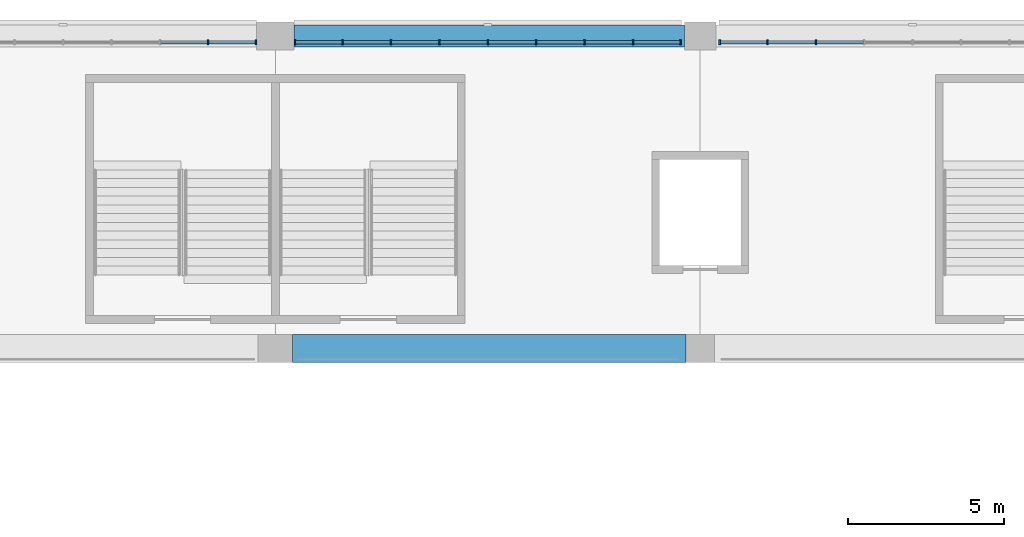
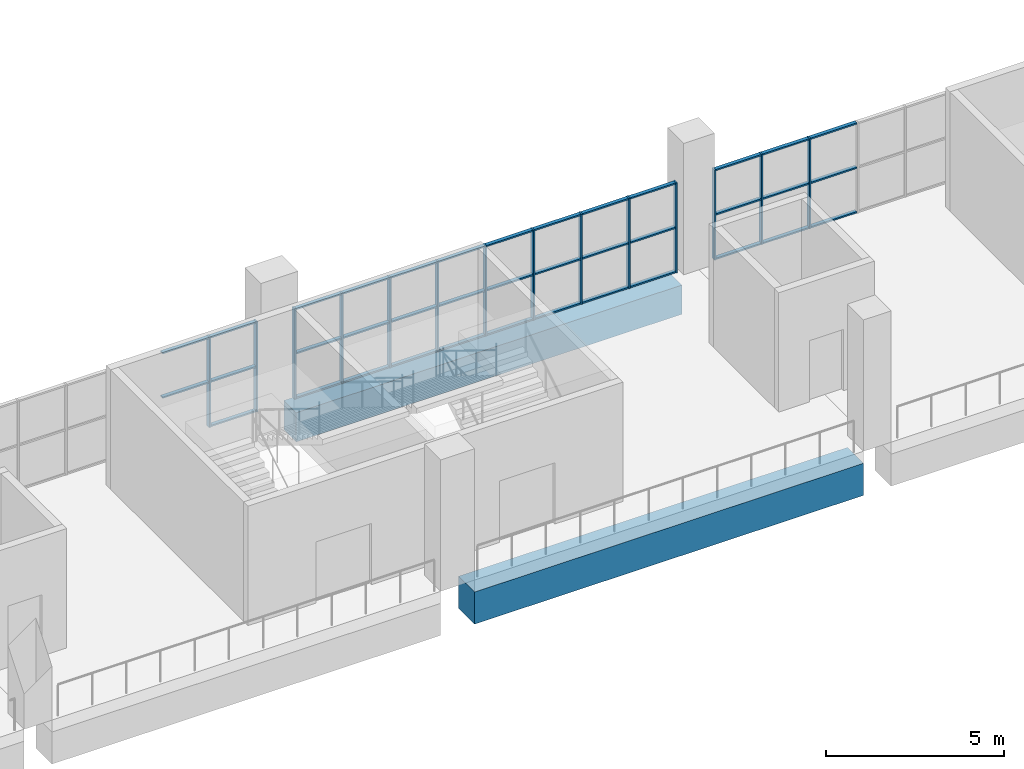
# One storey, part 33 of 177: 52 members, 2 beams, 3 elements without a shape of their own.
"""IFC4 building model written with IfcOpenShell, lengths in metres."""

import ifcopenshell
import ifcopenshell.guid

model = None  # the IFC model being written
_history = None  # IfcOwnerHistory: only IFC2X3 demands one
_inside = {}  # id of a spatial element -> (the spatial element, [elements in it])
_under = {}  # id of a project, library or spatial element -> (it, [spatial elements below it])
_declared = {}  # id of a project -> (the project, [libraries it declares])
_typed = {}  # id of a type object -> (the type object, [elements of that type])
_made_of = {}  # id of a material, layer set ... -> (it, [elements and type objects made of it])


def new_model(schema):
    """Start an empty IFC model of exactly this schema.

    Asked for "IFC4X3", IfcOpenShell would pick the latest addendum, in which some entities
    have other attributes; the version numbers below select the first issue.
    IFC2X3 requires an IfcOwnerHistory on every rooted entity: one is made here for all.
    """
    global model, _history
    if schema == "IFC4X3":
        model = ifcopenshell.file(schema_version=(4, 3, 0, 0))
    else:
        model = ifcopenshell.file(schema=schema)
    _inside.clear()
    _under.clear()
    _declared.clear()
    _typed.clear()
    _made_of.clear()
    _history = None
    if model.schema == "IFC2X3":
        org = make("IfcOrganization", Name="unknown")
        user = make(
            "IfcPersonAndOrganization",
            ThePerson=make("IfcPerson", FamilyName="unknown"),
            TheOrganization=org,
        )
        app = make(
            "IfcApplication",
            ApplicationDeveloper=org,
            Version="unknown",
            ApplicationFullName="unknown",
            ApplicationIdentifier="unknown",
        )
        _history = make(
            "IfcOwnerHistory",
            OwningUser=user,
            OwningApplication=app,
            ChangeAction="ADDED",
            CreationDate=0,
        )
    return model


def make(cls, **values):
    """One entity of the class cls with the attributes given. An attribute that is None is left unset."""
    return model.create_entity(
        cls, **{name: value for name, value in values.items() if value is not None}
    )


def rooted(cls, **values):
    """An entity with a GlobalId (a new one), such as an element, a storey or a relation."""
    return make(cls, GlobalId=ifcopenshell.guid.new(), OwnerHistory=_history, **values)


def si_unit(unit_type, name, prefix=None):
    """IfcSIUnit, for example si_unit("LENGTHUNIT", "METRE", prefix="MILLI")."""
    return make("IfcSIUnit", UnitType=unit_type, Prefix=prefix, Name=name)


def assignment(units):
    """IfcUnitAssignment: the units of a project."""
    return None if units is None else make("IfcUnitAssignment", Units=units)


def point(xyz):
    """IfcCartesianPoint."""
    return None if xyz is None else make("IfcCartesianPoint", Coordinates=xyz)


def direction(xyz):
    """IfcDirection."""
    return None if xyz is None else make("IfcDirection", DirectionRatios=xyz)


def frame(location, z_axis=None, x_axis=None):
    """IfcAxis2Placement3D, a coordinate frame: its origin and axes. An axis left out is left unset."""
    return make(
        "IfcAxis2Placement3D",
        Location=point(location),
        Axis=direction(z_axis),
        RefDirection=direction(x_axis),
    )


def frame_2d(location, x_axis=None):
    """IfcAxis2Placement2D, a coordinate frame in the plane: its origin and x axis."""
    return make(
        "IfcAxis2Placement2D", Location=point(location), RefDirection=direction(x_axis)
    )


def origin():
    """The frame at (0, 0, 0) with its axes left unset."""
    return frame((0.0, 0.0, 0.0))


def origin_2d():
    """The frame at (0, 0) in the plane with its x axis left unset."""
    return frame_2d((0.0, 0.0))


def place(relative_to, where):
    """IfcLocalPlacement: puts the frame where relative to a parent placement (None: the world)."""
    return make(
        "IfcLocalPlacement", PlacementRelTo=relative_to, RelativePlacement=where
    )


def context(
    kind, dimensions, precision=None, world=None, true_north=None, identifier=None
):
    """IfcGeometricRepresentationContext, for example the 3D "Model" context."""
    return make(
        "IfcGeometricRepresentationContext",
        ContextIdentifier=identifier,
        ContextType=kind,
        CoordinateSpaceDimension=dimensions,
        Precision=precision,
        WorldCoordinateSystem=world,
        TrueNorth=true_north,
    )


def subcontext(parent, identifier, kind, view, scale=None):
    """IfcGeometricRepresentationSubContext, for example "Body" below "Model"."""
    return make(
        "IfcGeometricRepresentationSubContext",
        ContextIdentifier=identifier,
        ContextType=kind,
        ParentContext=parent,
        TargetScale=scale,
        TargetView=view,
    )


def project(units=None, contexts=None):
    """IfcProject with its units and contexts."""
    return rooted(
        "IfcProject",
        Name="project",
        RepresentationContexts=contexts,
        UnitsInContext=assignment(units),
    )


def spatial(cls, under=None, at=None, **own):
    """A site, building, storey or space (cls), placed at a placement, below another one or the project."""
    s = rooted(cls, ObjectPlacement=at, **own)
    if under is not None:
        _under.setdefault(under.id(), (under, []))[1].append(s)
    return s


def profile(cls, at=None, kind="AREA", **sizes):
    """A parametric profile (cls). Its sizes go by their IFC names, for example OverallWidth=200.0."""
    return make(cls, ProfileType=kind, Position=at, **sizes)


def rectangle(**sizes):
    """IfcRectangleProfileDef."""
    return profile("IfcRectangleProfileDef", **sizes)


def extrude(swept, where, along, depth):
    """IfcExtrudedAreaSolid: the profile swept, set in the frame where, extruded along a direction by depth."""
    return make(
        "IfcExtrudedAreaSolid",
        SweptArea=swept,
        Position=where,
        ExtrudedDirection=direction(along),
        Depth=depth,
    )


def shape(context_of_items, identifier, shape_type, items):
    """IfcShapeRepresentation: the items that make up one representation, for example the "Body"."""
    return make(
        "IfcShapeRepresentation",
        ContextOfItems=context_of_items,
        RepresentationIdentifier=identifier,
        RepresentationType=shape_type,
        Items=items,
    )


def material(Name=None, Category=None):
    """IfcMaterial."""
    return make("IfcMaterial", Name=Name, Category=Category)


def material_profile(
    of_material, cross_section, Name=None, Category=None, Priority=None
):
    """IfcMaterialProfile: a cross section and its material."""
    return make(
        "IfcMaterialProfile",
        Name=Name,
        Material=of_material,
        Profile=cross_section,
        Priority=Priority,
        Category=Category,
    )


def profile_set(profiles, Name=None, composite=None):
    """IfcMaterialProfileSet."""
    return make(
        "IfcMaterialProfileSet",
        Name=Name,
        MaterialProfiles=profiles,
        CompositeProfile=composite,
    )


def made_of(thing, what):
    """Note that an element or type object is made of a material, layer set ...; save() writes the relation."""
    if what is not None:
        _made_of.setdefault(what.id(), (what, []))[1].append(thing)
    return thing


def type_object(cls, material=None, **own):
    """A type object (cls), such as IfcWallType, which elements share."""
    return made_of(rooted(cls, **own), material)


def element(
    cls,
    number,
    at=None,
    inside=None,
    cuts=None,
    type_object=None,
    material=None,
    context=None,
    identifier="Body",
    shape_type=None,
    held_by="IfcProductDefinitionShape",
    body=None,
    shapes=None,
    **own,
):
    """One element of the class cls, such as IfcWall. Its Tag is "e" and its number.

    at: its placement. inside: the storey or other place that contains it. cuts: it is an
    opening in that element (IfcRelVoidsElement). A single representation is given by context,
    identifier, shape_type and body (its items); several are given by shapes. held_by: the class
    of the entity that holds the representations. save() writes the other relations.
    """
    e = rooted(cls, Tag="e%d" % number, ObjectPlacement=at, **own)
    if body is not None:
        shapes = [shape(context, identifier, shape_type, body)]
    if shapes is not None:
        e.Representation = make(held_by, Representations=shapes)
    if inside is not None:
        _inside.setdefault(inside.id(), (inside, []))[1].append(e)
    if cuts is not None:
        rooted(
            "IfcRelVoidsElement", RelatingBuildingElement=cuts, RelatedOpeningElement=e
        )
    if type_object is not None:
        _typed.setdefault(type_object.id(), (type_object, []))[1].append(e)
    return made_of(e, material)


def aggregate(whole, parts):
    """IfcRelAggregates: a whole, such as a stair, and the parts it consists of."""
    return rooted("IfcRelAggregates", RelatingObject=whole, RelatedObjects=parts)


def save(model, path):
    """Write the relations noted so far, then the file.

    IfcRelAggregates (storeys below a building ...), IfcRelContainedInSpatialStructure (elements
    in a storey), IfcRelDefinesByType, IfcRelAssociatesMaterial and IfcRelDeclares: one each for
    every whole, place, type object, material and project.
    """
    for whole, parts in _under.values():
        aggregate(whole, parts)
    for where, things in _inside.values():
        rooted(
            "IfcRelContainedInSpatialStructure",
            RelatedElements=things,
            RelatingStructure=where,
        )
    for kind, things in _typed.values():
        rooted("IfcRelDefinesByType", RelatedObjects=things, RelatingType=kind)
    for what, things in _made_of.values():
        rooted("IfcRelAssociatesMaterial", RelatedObjects=things, RelatingMaterial=what)
    for by, libraries in _declared.values():
        rooted("IfcRelDeclares", RelatingContext=by, RelatedDefinitions=libraries)
    model.write(path)


model = new_model("IFC4")

# Units and contexts
model_context = context("Model", 3, precision=1e-05, world=origin(), true_north=direction((0.0, 1.0)))
body_context = subcontext(model_context, "Body", "Model", "MODEL_VIEW")
ifc_project = project(units=[si_unit("LENGTHUNIT", "METRE"), si_unit("AREAUNIT", "SQUARE_METRE"), si_unit("VOLUMEUNIT", "CUBIC_METRE"), si_unit("PLANEANGLEUNIT", "RADIAN"), si_unit("MASSUNIT", "GRAM", prefix="KILO")], contexts=[model_context])

# Site, building, storey
site_placement = place(None, origin())
site = spatial("IfcSite", under=ifc_project, at=site_placement, CompositionType="ELEMENT")
building_placement = place(site_placement, origin())
building = spatial("IfcBuilding", under=site, at=building_placement, Name="Ogive Plaza Stadium", CompositionType="ELEMENT")
storey_placement = place(building_placement, frame((0.0, 0.0, 18.0)))
storey = spatial("IfcBuildingStorey", under=building, at=storey_placement, Name="L04", CompositionType="ELEMENT", Elevation=18.0)

# Curtain wall, members
ifc_material_1 = material(Name="Bronze-anodised aluminium with laminated glass", Category="aluminium")
curtain_wall_type = type_object("IfcCurtainWallType", Name="Lancet curtain wall", PredefinedType="NOTDEFINED", material=ifc_material_1)
curtain_wall_1_placement = place(storey_placement, origin())
curtain_wall_1 = element("IfcCurtainWall", 1, at=curtain_wall_1_placement, inside=storey, type_object=curtain_wall_type, Name="CURTAIN WALL B33 L04", PredefinedType="NOTDEFINED")
ifc_material_2 = material(Name="Bronze-anodised aluminium", Category="aluminium")
ifc_material_profile_1 = material_profile(ifc_material_2, rectangle(XDim=0.14990234375, YDim=0.050048828125, at=origin_2d()), Name="AL 150x50")
ifc_profile_set_1 = profile_set([ifc_material_profile_1], Name="Bronze-anodised aluminium")
member_type_1 = type_object("IfcMemberType", Name="Curtain wall mullion 50x150", PredefinedType="MULLION", material=ifc_profile_set_1)
member_1_placement = place(storey_placement, frame((-8.949951171875, 102.300048828125, 0.0), z_axis=(0.0, 0.0, 1.0), x_axis=(0.0, 1.0, 0.0)))
member_1 = element("IfcMember", 2, at=member_1_placement, type_object=member_type_1, Name="CW-B33-L04 mullion 8", PredefinedType="MULLION", context=body_context, shape_type="SweptSolid", body=[
    extrude(rectangle(XDim=0.14990234375, YDim=0.050048828125, at=origin_2d()), origin(), (0.0, 0.0, 1.0), 3.090087890625),
])
member_2_placement = place(storey_placement, frame((-7.425048828125, 102.300048828125, 0.0), z_axis=(0.0, 0.0, 1.0), x_axis=(0.0, 1.0, 0.0)))
member_2 = element("IfcMember", 3, at=member_2_placement, type_object=member_type_1, Name="CW-B33-L04 mullion 9", PredefinedType="MULLION", context=body_context, shape_type="SweptSolid", body=[
    extrude(rectangle(XDim=0.14990234375, YDim=0.050048828125, at=origin_2d()), origin(), (0.0, 0.0, 1.0), 3.090087890625),
])

curtain_wall_2_placement = place(storey_placement, origin())
curtain_wall_2 = element("IfcCurtainWall", 4, at=curtain_wall_2_placement, inside=storey, type_object=curtain_wall_type, Name="CURTAIN WALL B34 L04", PredefinedType="NOTDEFINED")
member_3_placement = place(storey_placement, frame((-6.175048828125, 102.300048828125, 0.0), z_axis=(0.0, 0.0, 1.0), x_axis=(0.0, 1.0, 0.0)))
member_3 = element("IfcMember", 5, at=member_3_placement, type_object=member_type_1, Name="CW-B34-L04 mullion 1", PredefinedType="MULLION", context=body_context, shape_type="SweptSolid", body=[
    extrude(rectangle(XDim=0.14990234375, YDim=0.050048828125, at=origin_2d()), origin(), (0.0, 0.0, 1.0), 3.090087890625),
])
member_4_placement = place(storey_placement, frame((-4.64990234375, 102.300048828125, 0.0), z_axis=(0.0, 0.0, 1.0), x_axis=(0.0, 1.0, 0.0)))
member_4 = element("IfcMember", 6, at=member_4_placement, type_object=member_type_1, Name="CW-B34-L04 mullion 2", PredefinedType="MULLION", context=body_context, shape_type="SweptSolid", body=[
    extrude(rectangle(XDim=0.14990234375, YDim=0.050048828125, at=origin_2d()), origin(), (0.0, 0.0, 1.0), 3.090087890625),
])
member_5_placement = place(storey_placement, frame((-3.10009765625, 102.300048828125, 0.0), z_axis=(0.0, 0.0, 1.0), x_axis=(0.0, 1.0, 0.0)))
member_5 = element("IfcMember", 7, at=member_5_placement, type_object=member_type_1, Name="CW-B34-L04 mullion 3", PredefinedType="MULLION", context=body_context, shape_type="SweptSolid", body=[
    extrude(rectangle(XDim=0.14990234375, YDim=0.050048828125, at=origin_2d()), origin(), (0.0, 0.0, 1.0), 3.090087890625),
])
member_6_placement = place(storey_placement, frame((-1.550048828125, 102.300048828125, 0.0), z_axis=(0.0, 0.0, 1.0), x_axis=(0.0, 1.0, 0.0)))
member_6 = element("IfcMember", 8, at=member_6_placement, type_object=member_type_1, Name="CW-B34-L04 mullion 4", PredefinedType="MULLION", context=body_context, shape_type="SweptSolid", body=[
    extrude(rectangle(XDim=0.14990234375, YDim=0.050048828125, at=origin_2d()), origin(), (0.0, 0.0, 1.0), 3.090087890625),
])
member_7_placement = place(storey_placement, frame((0.0, 102.300048828125, 0.0), z_axis=(0.0, 0.0, 1.0), x_axis=(0.0, 1.0, 0.0)))
member_7 = element("IfcMember", 9, at=member_7_placement, type_object=member_type_1, Name="CW-B34-L04 mullion 5", PredefinedType="MULLION", context=body_context, shape_type="SweptSolid", body=[
    extrude(rectangle(XDim=0.14990234375, YDim=0.050048828125, at=origin_2d()), origin(), (0.0, 0.0, 1.0), 3.090087890625),
])
member_8_placement = place(storey_placement, frame((1.550048828125, 102.300048828125, 0.0), z_axis=(0.0, 0.0, 1.0), x_axis=(0.0, 1.0, 0.0)))
member_8 = element("IfcMember", 10, at=member_8_placement, type_object=member_type_1, Name="CW-B34-L04 mullion 6", PredefinedType="MULLION", context=body_context, shape_type="SweptSolid", body=[
    extrude(rectangle(XDim=0.14990234375, YDim=0.050048828125, at=origin_2d()), origin(), (0.0, 0.0, 1.0), 3.090087890625),
])
member_9_placement = place(storey_placement, frame((3.10009765625, 102.300048828125, 0.0), z_axis=(0.0, 0.0, 1.0), x_axis=(0.0, 1.0, 0.0)))
member_9 = element("IfcMember", 11, at=member_9_placement, type_object=member_type_1, Name="CW-B34-L04 mullion 7", PredefinedType="MULLION", context=body_context, shape_type="SweptSolid", body=[
    extrude(rectangle(XDim=0.14990234375, YDim=0.050048828125, at=origin_2d()), origin(), (0.0, 0.0, 1.0), 3.090087890625),
])
member_10_placement = place(storey_placement, frame((4.64990234375, 102.300048828125, 0.0), z_axis=(0.0, 0.0, 1.0), x_axis=(0.0, 1.0, 0.0)))
member_10 = element("IfcMember", 12, at=member_10_placement, type_object=member_type_1, Name="CW-B34-L04 mullion 8", PredefinedType="MULLION", context=body_context, shape_type="SweptSolid", body=[
    extrude(rectangle(XDim=0.14990234375, YDim=0.050048828125, at=origin_2d()), origin(), (0.0, 0.0, 1.0), 3.090087890625),
])
member_11_placement = place(storey_placement, frame((6.175048828125, 102.300048828125, 0.0), z_axis=(0.0, 0.0, 1.0), x_axis=(0.0, 1.0, 0.0)))
member_11 = element("IfcMember", 13, at=member_11_placement, type_object=member_type_1, Name="CW-B34-L04 mullion 9", PredefinedType="MULLION", context=body_context, shape_type="SweptSolid", body=[
    extrude(rectangle(XDim=0.14990234375, YDim=0.050048828125, at=origin_2d()), origin(), (0.0, 0.0, 1.0), 3.090087890625),
])

curtain_wall_3_placement = place(storey_placement, origin())
curtain_wall_3 = element("IfcCurtainWall", 14, at=curtain_wall_3_placement, inside=storey, type_object=curtain_wall_type, Name="CURTAIN WALL B35 L04", PredefinedType="NOTDEFINED")
member_12_placement = place(storey_placement, frame((7.425048828125, 102.300048828125, 0.0), z_axis=(0.0, 0.0, 1.0), x_axis=(0.0, 1.0, 0.0)))
member_12 = element("IfcMember", 15, at=member_12_placement, type_object=member_type_1, Name="CW-B35-L04 mullion 1", PredefinedType="MULLION", context=body_context, shape_type="SweptSolid", body=[
    extrude(rectangle(XDim=0.14990234375, YDim=0.050048828125, at=origin_2d()), origin(), (0.0, 0.0, 1.0), 3.090087890625),
])
member_13_placement = place(storey_placement, frame((8.949951171875, 102.300048828125, 0.0), z_axis=(0.0, 0.0, 1.0), x_axis=(0.0, 1.0, 0.0)))
member_13 = element("IfcMember", 16, at=member_13_placement, type_object=member_type_1, Name="CW-B35-L04 mullion 2", PredefinedType="MULLION", context=body_context, shape_type="SweptSolid", body=[
    extrude(rectangle(XDim=0.14990234375, YDim=0.050048828125, at=origin_2d()), origin(), (0.0, 0.0, 1.0), 3.090087890625),
])
member_14_placement = place(storey_placement, frame((10.5, 102.300048828125, 0.0), z_axis=(0.0, 0.0, 1.0), x_axis=(0.0, 1.0, 0.0)))
member_14 = element("IfcMember", 17, at=member_14_placement, type_object=member_type_1, Name="CW-B35-L04 mullion 3", PredefinedType="MULLION", context=body_context, shape_type="SweptSolid", body=[
    extrude(rectangle(XDim=0.14990234375, YDim=0.050048828125, at=origin_2d()), origin(), (0.0, 0.0, 1.0), 3.090087890625),
])

# Member
ifc_material_3 = material(Name="Bronze-anodised aluminium", Category="aluminium")
ifc_material_profile_2 = material_profile(ifc_material_3, rectangle(XDim=0.1201171875, YDim=0.050048828125, at=origin_2d()), Name="AL 120x50")
ifc_profile_set_2 = profile_set([ifc_material_profile_2], Name="Bronze-anodised aluminium")
member_type_2 = type_object("IfcMemberType", Name="Curtain wall transom 50x120", PredefinedType="USERDEFINED", material=ifc_profile_set_2)
member_15_placement = place(storey_placement, frame((-10.47509765625, 102.300048828125, 1.544921875), z_axis=(1.0, 0.0, 0.0), x_axis=(0.0, 1.0, 0.0)))
member_15 = element("IfcMember", 18, at=member_15_placement, type_object=member_type_2, Name="CW-B33-L04 transom 7.2", ObjectType="TRANSOM", PredefinedType="USERDEFINED", context=body_context, shape_type="SweptSolid", body=[
    extrude(rectangle(XDim=0.1201171875, YDim=0.050048828125, at=origin_2d()), origin(), (0.0, 0.0, 1.0), 1.5),
])

member_16_placement = place(storey_placement, frame((-10.47509765625, 102.300048828125, 3.06494140625), z_axis=(1.0, 0.0, 0.0), x_axis=(0.0, 1.0, 0.0)))
member_16 = element("IfcMember", 19, at=member_16_placement, type_object=member_type_2, Name="CW-B33-L04 transom 7.3", ObjectType="TRANSOM", PredefinedType="USERDEFINED", context=body_context, shape_type="SweptSolid", body=[
    extrude(rectangle(XDim=0.1201171875, YDim=0.050048828125, at=origin_2d()), origin(), (0.0, 0.0, 1.0), 1.5),
])

member_17_placement = place(storey_placement, frame((-8.925048828125, 102.300048828125, 0.02490234375), z_axis=(1.0, 0.0, 0.0), x_axis=(0.0, 1.0, 0.0)))
member_17 = element("IfcMember", 20, at=member_17_placement, type_object=member_type_2, Name="CW-B33-L04 transom 8.1", ObjectType="TRANSOM", PredefinedType="USERDEFINED", context=body_context, shape_type="SweptSolid", body=[
    extrude(rectangle(XDim=0.1201171875, YDim=0.050048828125, at=origin_2d()), origin(), (0.0, 0.0, 1.0), 1.47509765625),
])

member_18_placement = place(storey_placement, frame((-8.925048828125, 102.300048828125, 1.544921875), z_axis=(1.0, 0.0, 0.0), x_axis=(0.0, 1.0, 0.0)))
member_18 = element("IfcMember", 21, at=member_18_placement, type_object=member_type_2, Name="CW-B33-L04 transom 8.2", ObjectType="TRANSOM", PredefinedType="USERDEFINED", context=body_context, shape_type="SweptSolid", body=[
    extrude(rectangle(XDim=0.1201171875, YDim=0.050048828125, at=origin_2d()), origin(), (0.0, 0.0, 1.0), 1.47509765625),
])

member_19_placement = place(storey_placement, frame((-8.925048828125, 102.300048828125, 3.06494140625), z_axis=(1.0, 0.0, 0.0), x_axis=(0.0, 1.0, 0.0)))
member_19 = element("IfcMember", 22, at=member_19_placement, type_object=member_type_2, Name="CW-B33-L04 transom 8.3", ObjectType="TRANSOM", PredefinedType="USERDEFINED", context=body_context, shape_type="SweptSolid", body=[
    extrude(rectangle(XDim=0.1201171875, YDim=0.050048828125, at=origin_2d()), origin(), (0.0, 0.0, 1.0), 1.47509765625),
])

aggregate(curtain_wall_1, [member_1, member_2, member_15, member_16, member_17, member_18, member_19])

member_20_placement = place(storey_placement, frame((-6.14990234375, 102.300048828125, 0.02490234375), z_axis=(1.0, 0.0, 0.0), x_axis=(0.0, 1.0, 0.0)))
member_20 = element("IfcMember", 23, at=member_20_placement, type_object=member_type_2, Name="CW-B34-L04 transom 1.1", ObjectType="TRANSOM", PredefinedType="USERDEFINED", context=body_context, shape_type="SweptSolid", body=[
    extrude(rectangle(XDim=0.1201171875, YDim=0.050048828125, at=origin_2d()), origin(), (0.0, 0.0, 1.0), 1.474853515625),
])

member_21_placement = place(storey_placement, frame((-6.14990234375, 102.300048828125, 1.544921875), z_axis=(1.0, 0.0, 0.0), x_axis=(0.0, 1.0, 0.0)))
member_21 = element("IfcMember", 24, at=member_21_placement, type_object=member_type_2, Name="CW-B34-L04 transom 1.2", ObjectType="TRANSOM", PredefinedType="USERDEFINED", context=body_context, shape_type="SweptSolid", body=[
    extrude(rectangle(XDim=0.1201171875, YDim=0.050048828125, at=origin_2d()), origin(), (0.0, 0.0, 1.0), 1.474853515625),
])

member_22_placement = place(storey_placement, frame((-6.14990234375, 102.300048828125, 3.06494140625), z_axis=(1.0, 0.0, 0.0), x_axis=(0.0, 1.0, 0.0)))
member_22 = element("IfcMember", 25, at=member_22_placement, type_object=member_type_2, Name="CW-B34-L04 transom 1.3", ObjectType="TRANSOM", PredefinedType="USERDEFINED", context=body_context, shape_type="SweptSolid", body=[
    extrude(rectangle(XDim=0.1201171875, YDim=0.050048828125, at=origin_2d()), origin(), (0.0, 0.0, 1.0), 1.474853515625),
])

member_23_placement = place(storey_placement, frame((-4.625, 102.300048828125, 0.02490234375), z_axis=(1.0, 0.0, 0.0), x_axis=(0.0, 1.0, 0.0)))
member_23 = element("IfcMember", 26, at=member_23_placement, type_object=member_type_2, Name="CW-B34-L04 transom 2.1", ObjectType="TRANSOM", PredefinedType="USERDEFINED", context=body_context, shape_type="SweptSolid", body=[
    extrude(rectangle(XDim=0.1201171875, YDim=0.050048828125, at=origin_2d()), origin(), (0.0, 0.0, 1.0), 1.5),
])

member_24_placement = place(storey_placement, frame((-4.625, 102.300048828125, 1.544921875), z_axis=(1.0, 0.0, 0.0), x_axis=(0.0, 1.0, 0.0)))
member_24 = element("IfcMember", 27, at=member_24_placement, type_object=member_type_2, Name="CW-B34-L04 transom 2.2", ObjectType="TRANSOM", PredefinedType="USERDEFINED", context=body_context, shape_type="SweptSolid", body=[
    extrude(rectangle(XDim=0.1201171875, YDim=0.050048828125, at=origin_2d()), origin(), (0.0, 0.0, 1.0), 1.5),
])

member_25_placement = place(storey_placement, frame((-4.625, 102.300048828125, 3.06494140625), z_axis=(1.0, 0.0, 0.0), x_axis=(0.0, 1.0, 0.0)))
member_25 = element("IfcMember", 28, at=member_25_placement, type_object=member_type_2, Name="CW-B34-L04 transom 2.3", ObjectType="TRANSOM", PredefinedType="USERDEFINED", context=body_context, shape_type="SweptSolid", body=[
    extrude(rectangle(XDim=0.1201171875, YDim=0.050048828125, at=origin_2d()), origin(), (0.0, 0.0, 1.0), 1.5),
])

member_26_placement = place(storey_placement, frame((-3.074951171875, 102.300048828125, 0.02490234375), z_axis=(1.0, 0.0, 0.0), x_axis=(0.0, 1.0, 0.0)))
member_26 = element("IfcMember", 29, at=member_26_placement, type_object=member_type_2, Name="CW-B34-L04 transom 3.1", ObjectType="TRANSOM", PredefinedType="USERDEFINED", context=body_context, shape_type="SweptSolid", body=[
    extrude(rectangle(XDim=0.1201171875, YDim=0.050048828125, at=origin_2d()), origin(), (0.0, 0.0, 1.0), 1.5),
])

member_27_placement = place(storey_placement, frame((-3.074951171875, 102.300048828125, 1.544921875), z_axis=(1.0, 0.0, 0.0), x_axis=(0.0, 1.0, 0.0)))
member_27 = element("IfcMember", 30, at=member_27_placement, type_object=member_type_2, Name="CW-B34-L04 transom 3.2", ObjectType="TRANSOM", PredefinedType="USERDEFINED", context=body_context, shape_type="SweptSolid", body=[
    extrude(rectangle(XDim=0.1201171875, YDim=0.050048828125, at=origin_2d()), origin(), (0.0, 0.0, 1.0), 1.5),
])

member_28_placement = place(storey_placement, frame((-3.074951171875, 102.300048828125, 3.06494140625), z_axis=(1.0, 0.0, 0.0), x_axis=(0.0, 1.0, 0.0)))
member_28 = element("IfcMember", 31, at=member_28_placement, type_object=member_type_2, Name="CW-B34-L04 transom 3.3", ObjectType="TRANSOM", PredefinedType="USERDEFINED", context=body_context, shape_type="SweptSolid", body=[
    extrude(rectangle(XDim=0.1201171875, YDim=0.050048828125, at=origin_2d()), origin(), (0.0, 0.0, 1.0), 1.5),
])

member_29_placement = place(storey_placement, frame((-1.52490234375, 102.300048828125, 0.02490234375), z_axis=(1.0, 0.0, 0.0), x_axis=(0.0, 1.0, 0.0)))
member_29 = element("IfcMember", 32, at=member_29_placement, type_object=member_type_2, Name="CW-B34-L04 transom 4.1", ObjectType="TRANSOM", PredefinedType="USERDEFINED", context=body_context, shape_type="SweptSolid", body=[
    extrude(rectangle(XDim=0.1201171875, YDim=0.050048828125, at=origin_2d()), origin(), (0.0, 0.0, 1.0), 1.5),
])

member_30_placement = place(storey_placement, frame((-1.52490234375, 102.300048828125, 1.544921875), z_axis=(1.0, 0.0, 0.0), x_axis=(0.0, 1.0, 0.0)))
member_30 = element("IfcMember", 33, at=member_30_placement, type_object=member_type_2, Name="CW-B34-L04 transom 4.2", ObjectType="TRANSOM", PredefinedType="USERDEFINED", context=body_context, shape_type="SweptSolid", body=[
    extrude(rectangle(XDim=0.1201171875, YDim=0.050048828125, at=origin_2d()), origin(), (0.0, 0.0, 1.0), 1.5),
])

member_31_placement = place(storey_placement, frame((-1.52490234375, 102.300048828125, 3.06494140625), z_axis=(1.0, 0.0, 0.0), x_axis=(0.0, 1.0, 0.0)))
member_31 = element("IfcMember", 34, at=member_31_placement, type_object=member_type_2, Name="CW-B34-L04 transom 4.3", ObjectType="TRANSOM", PredefinedType="USERDEFINED", context=body_context, shape_type="SweptSolid", body=[
    extrude(rectangle(XDim=0.1201171875, YDim=0.050048828125, at=origin_2d()), origin(), (0.0, 0.0, 1.0), 1.5),
])

member_32_placement = place(storey_placement, frame((0.02490234375, 102.300048828125, 0.02490234375), z_axis=(1.0, 0.0, 0.0), x_axis=(0.0, 1.0, 0.0)))
member_32 = element("IfcMember", 35, at=member_32_placement, type_object=member_type_2, Name="CW-B34-L04 transom 5.1", ObjectType="TRANSOM", PredefinedType="USERDEFINED", context=body_context, shape_type="SweptSolid", body=[
    extrude(rectangle(XDim=0.1201171875, YDim=0.050048828125, at=origin_2d()), origin(), (0.0, 0.0, 1.0), 1.5),
])

member_33_placement = place(storey_placement, frame((0.02490234375, 102.300048828125, 1.544921875), z_axis=(1.0, 0.0, 0.0), x_axis=(0.0, 1.0, 0.0)))
member_33 = element("IfcMember", 36, at=member_33_placement, type_object=member_type_2, Name="CW-B34-L04 transom 5.2", ObjectType="TRANSOM", PredefinedType="USERDEFINED", context=body_context, shape_type="SweptSolid", body=[
    extrude(rectangle(XDim=0.1201171875, YDim=0.050048828125, at=origin_2d()), origin(), (0.0, 0.0, 1.0), 1.5),
])

member_34_placement = place(storey_placement, frame((0.02490234375, 102.300048828125, 3.06494140625), z_axis=(1.0, 0.0, 0.0), x_axis=(0.0, 1.0, 0.0)))
member_34 = element("IfcMember", 37, at=member_34_placement, type_object=member_type_2, Name="CW-B34-L04 transom 5.3", ObjectType="TRANSOM", PredefinedType="USERDEFINED", context=body_context, shape_type="SweptSolid", body=[
    extrude(rectangle(XDim=0.1201171875, YDim=0.050048828125, at=origin_2d()), origin(), (0.0, 0.0, 1.0), 1.5),
])

member_35_placement = place(storey_placement, frame((1.574951171875, 102.300048828125, 0.02490234375), z_axis=(1.0, 0.0, 0.0), x_axis=(0.0, 1.0, 0.0)))
member_35 = element("IfcMember", 38, at=member_35_placement, type_object=member_type_2, Name="CW-B34-L04 transom 6.1", ObjectType="TRANSOM", PredefinedType="USERDEFINED", context=body_context, shape_type="SweptSolid", body=[
    extrude(rectangle(XDim=0.1201171875, YDim=0.050048828125, at=origin_2d()), origin(), (0.0, 0.0, 1.0), 1.5),
])

member_36_placement = place(storey_placement, frame((1.574951171875, 102.300048828125, 1.544921875), z_axis=(1.0, 0.0, 0.0), x_axis=(0.0, 1.0, 0.0)))
member_36 = element("IfcMember", 39, at=member_36_placement, type_object=member_type_2, Name="CW-B34-L04 transom 6.2", ObjectType="TRANSOM", PredefinedType="USERDEFINED", context=body_context, shape_type="SweptSolid", body=[
    extrude(rectangle(XDim=0.1201171875, YDim=0.050048828125, at=origin_2d()), origin(), (0.0, 0.0, 1.0), 1.5),
])

member_37_placement = place(storey_placement, frame((1.574951171875, 102.300048828125, 3.06494140625), z_axis=(1.0, 0.0, 0.0), x_axis=(0.0, 1.0, 0.0)))
member_37 = element("IfcMember", 40, at=member_37_placement, type_object=member_type_2, Name="CW-B34-L04 transom 6.3", ObjectType="TRANSOM", PredefinedType="USERDEFINED", context=body_context, shape_type="SweptSolid", body=[
    extrude(rectangle(XDim=0.1201171875, YDim=0.050048828125, at=origin_2d()), origin(), (0.0, 0.0, 1.0), 1.5),
])

member_38_placement = place(storey_placement, frame((3.125, 102.300048828125, 0.02490234375), z_axis=(1.0, 0.0, 0.0), x_axis=(0.0, 1.0, 0.0)))
member_38 = element("IfcMember", 41, at=member_38_placement, type_object=member_type_2, Name="CW-B34-L04 transom 7.1", ObjectType="TRANSOM", PredefinedType="USERDEFINED", context=body_context, shape_type="SweptSolid", body=[
    extrude(rectangle(XDim=0.1201171875, YDim=0.050048828125, at=origin_2d()), origin(), (0.0, 0.0, 1.0), 1.5),
])

member_39_placement = place(storey_placement, frame((3.125, 102.300048828125, 1.544921875), z_axis=(1.0, 0.0, 0.0), x_axis=(0.0, 1.0, 0.0)))
member_39 = element("IfcMember", 42, at=member_39_placement, type_object=member_type_2, Name="CW-B34-L04 transom 7.2", ObjectType="TRANSOM", PredefinedType="USERDEFINED", context=body_context, shape_type="SweptSolid", body=[
    extrude(rectangle(XDim=0.1201171875, YDim=0.050048828125, at=origin_2d()), origin(), (0.0, 0.0, 1.0), 1.5),
])

member_40_placement = place(storey_placement, frame((3.125, 102.300048828125, 3.06494140625), z_axis=(1.0, 0.0, 0.0), x_axis=(0.0, 1.0, 0.0)))
member_40 = element("IfcMember", 43, at=member_40_placement, type_object=member_type_2, Name="CW-B34-L04 transom 7.3", ObjectType="TRANSOM", PredefinedType="USERDEFINED", context=body_context, shape_type="SweptSolid", body=[
    extrude(rectangle(XDim=0.1201171875, YDim=0.050048828125, at=origin_2d()), origin(), (0.0, 0.0, 1.0), 1.5),
])

member_41_placement = place(storey_placement, frame((4.675048828125, 102.300048828125, 0.02490234375), z_axis=(1.0, 0.0, 0.0), x_axis=(0.0, 1.0, 0.0)))
member_41 = element("IfcMember", 44, at=member_41_placement, type_object=member_type_2, Name="CW-B34-L04 transom 8.1", ObjectType="TRANSOM", PredefinedType="USERDEFINED", context=body_context, shape_type="SweptSolid", body=[
    extrude(rectangle(XDim=0.1201171875, YDim=0.050048828125, at=origin_2d()), origin(), (0.0, 0.0, 1.0), 1.474853515625),
])

member_42_placement = place(storey_placement, frame((4.675048828125, 102.300048828125, 1.544921875), z_axis=(1.0, 0.0, 0.0), x_axis=(0.0, 1.0, 0.0)))
member_42 = element("IfcMember", 45, at=member_42_placement, type_object=member_type_2, Name="CW-B34-L04 transom 8.2", ObjectType="TRANSOM", PredefinedType="USERDEFINED", context=body_context, shape_type="SweptSolid", body=[
    extrude(rectangle(XDim=0.1201171875, YDim=0.050048828125, at=origin_2d()), origin(), (0.0, 0.0, 1.0), 1.474853515625),
])

member_43_placement = place(storey_placement, frame((4.675048828125, 102.300048828125, 3.06494140625), z_axis=(1.0, 0.0, 0.0), x_axis=(0.0, 1.0, 0.0)))
member_43 = element("IfcMember", 46, at=member_43_placement, type_object=member_type_2, Name="CW-B34-L04 transom 8.3", ObjectType="TRANSOM", PredefinedType="USERDEFINED", context=body_context, shape_type="SweptSolid", body=[
    extrude(rectangle(XDim=0.1201171875, YDim=0.050048828125, at=origin_2d()), origin(), (0.0, 0.0, 1.0), 1.474853515625),
])

aggregate(curtain_wall_2, [member_3, member_4, member_5, member_6, member_7, member_8, member_9, member_10, member_11, member_20, member_21, member_22, member_23, member_24, member_25, member_26, member_27, member_28, member_29, member_30, member_31, member_32, member_33, member_34, member_35, member_36, member_37, member_38, member_39, member_40, member_41, member_42, member_43])

member_44_placement = place(storey_placement, frame((7.449951171875, 102.300048828125, 0.02490234375), z_axis=(1.0, 0.0, 0.0), x_axis=(0.0, 1.0, 0.0)))
member_44 = element("IfcMember", 47, at=member_44_placement, type_object=member_type_2, Name="CW-B35-L04 transom 1.1", ObjectType="TRANSOM", PredefinedType="USERDEFINED", context=body_context, shape_type="SweptSolid", body=[
    extrude(rectangle(XDim=0.1201171875, YDim=0.050048828125, at=origin_2d()), origin(), (0.0, 0.0, 1.0), 1.47509765625),
])

member_45_placement = place(storey_placement, frame((7.449951171875, 102.300048828125, 1.544921875), z_axis=(1.0, 0.0, 0.0), x_axis=(0.0, 1.0, 0.0)))
member_45 = element("IfcMember", 48, at=member_45_placement, type_object=member_type_2, Name="CW-B35-L04 transom 1.2", ObjectType="TRANSOM", PredefinedType="USERDEFINED", context=body_context, shape_type="SweptSolid", body=[
    extrude(rectangle(XDim=0.1201171875, YDim=0.050048828125, at=origin_2d()), origin(), (0.0, 0.0, 1.0), 1.47509765625),
])

member_46_placement = place(storey_placement, frame((7.449951171875, 102.300048828125, 3.06494140625), z_axis=(1.0, 0.0, 0.0), x_axis=(0.0, 1.0, 0.0)))
member_46 = element("IfcMember", 49, at=member_46_placement, type_object=member_type_2, Name="CW-B35-L04 transom 1.3", ObjectType="TRANSOM", PredefinedType="USERDEFINED", context=body_context, shape_type="SweptSolid", body=[
    extrude(rectangle(XDim=0.1201171875, YDim=0.050048828125, at=origin_2d()), origin(), (0.0, 0.0, 1.0), 1.47509765625),
])

member_47_placement = place(storey_placement, frame((8.97509765625, 102.300048828125, 0.02490234375), z_axis=(1.0, 0.0, 0.0), x_axis=(0.0, 1.0, 0.0)))
member_47 = element("IfcMember", 50, at=member_47_placement, type_object=member_type_2, Name="CW-B35-L04 transom 2.1", ObjectType="TRANSOM", PredefinedType="USERDEFINED", context=body_context, shape_type="SweptSolid", body=[
    extrude(rectangle(XDim=0.1201171875, YDim=0.050048828125, at=origin_2d()), origin(), (0.0, 0.0, 1.0), 1.5),
])

member_48_placement = place(storey_placement, frame((8.97509765625, 102.300048828125, 1.544921875), z_axis=(1.0, 0.0, 0.0), x_axis=(0.0, 1.0, 0.0)))
member_48 = element("IfcMember", 51, at=member_48_placement, type_object=member_type_2, Name="CW-B35-L04 transom 2.2", ObjectType="TRANSOM", PredefinedType="USERDEFINED", context=body_context, shape_type="SweptSolid", body=[
    extrude(rectangle(XDim=0.1201171875, YDim=0.050048828125, at=origin_2d()), origin(), (0.0, 0.0, 1.0), 1.5),
])

member_49_placement = place(storey_placement, frame((8.97509765625, 102.300048828125, 3.06494140625), z_axis=(1.0, 0.0, 0.0), x_axis=(0.0, 1.0, 0.0)))
member_49 = element("IfcMember", 52, at=member_49_placement, type_object=member_type_2, Name="CW-B35-L04 transom 2.3", ObjectType="TRANSOM", PredefinedType="USERDEFINED", context=body_context, shape_type="SweptSolid", body=[
    extrude(rectangle(XDim=0.1201171875, YDim=0.050048828125, at=origin_2d()), origin(), (0.0, 0.0, 1.0), 1.5),
])

member_50_placement = place(storey_placement, frame((10.52490234375, 102.300048828125, 0.02490234375), z_axis=(1.0, 0.0, 0.0), x_axis=(0.0, 1.0, 0.0)))
member_50 = element("IfcMember", 53, at=member_50_placement, type_object=member_type_2, Name="CW-B35-L04 transom 3.1", ObjectType="TRANSOM", PredefinedType="USERDEFINED", context=body_context, shape_type="SweptSolid", body=[
    extrude(rectangle(XDim=0.1201171875, YDim=0.050048828125, at=origin_2d()), origin(), (0.0, 0.0, 1.0), 1.5),
])

member_51_placement = place(storey_placement, frame((10.52490234375, 102.300048828125, 1.544921875), z_axis=(1.0, 0.0, 0.0), x_axis=(0.0, 1.0, 0.0)))
member_51 = element("IfcMember", 54, at=member_51_placement, type_object=member_type_2, Name="CW-B35-L04 transom 3.2", ObjectType="TRANSOM", PredefinedType="USERDEFINED", context=body_context, shape_type="SweptSolid", body=[
    extrude(rectangle(XDim=0.1201171875, YDim=0.050048828125, at=origin_2d()), origin(), (0.0, 0.0, 1.0), 1.5),
])

member_52_placement = place(storey_placement, frame((10.52490234375, 102.300048828125, 3.06494140625), z_axis=(1.0, 0.0, 0.0), x_axis=(0.0, 1.0, 0.0)))
member_52 = element("IfcMember", 55, at=member_52_placement, type_object=member_type_2, Name="CW-B35-L04 transom 3.3", ObjectType="TRANSOM", PredefinedType="USERDEFINED", context=body_context, shape_type="SweptSolid", body=[
    extrude(rectangle(XDim=0.1201171875, YDim=0.050048828125, at=origin_2d()), origin(), (0.0, 0.0, 1.0), 1.5),
])

aggregate(curtain_wall_3, [member_12, member_13, member_14, member_44, member_45, member_46, member_47, member_48, member_49, member_50, member_51, member_52])

# Beams
ifc_material_4 = material(Name="Concrete C40/50", Category="concrete")
ifc_material_profile_3 = material_profile(ifc_material_4, rectangle(XDim=0.89990234375, YDim=1.10009765625, at=origin_2d()), Name="RC 900x1100")
ifc_profile_set_3 = profile_set([ifc_material_profile_3], Name="Concrete C40/50")
beam_type_1 = type_object("IfcBeamType", Name="RC ring beam 900x1100", PredefinedType="BEAM", material=ifc_profile_set_3)
beam_1_placement = place(storey_placement, frame((-6.25, 92.5, -0.9599609375), z_axis=(1.0, 0.0, 0.0), x_axis=(0.0, 1.0, 0.0)))
element("IfcBeam", 56, at=beam_1_placement, inside=storey, type_object=beam_type_1, Name="Ring beam F4 L04 B34", PredefinedType="BEAM", context=body_context, shape_type="SweptSolid", body=[
    extrude(rectangle(XDim=0.89990234375, YDim=1.10009765625, at=origin_2d()), origin(), (0.0, 0.0, 1.0), 12.60009765625),
])
ifc_material_5 = material(Name="Concrete C40/50", Category="concrete")
ifc_material_profile_4 = material_profile(ifc_material_5, rectangle(XDim=0.699951171875, YDim=1.0, at=origin_2d()), Name="RC 700x1000")
ifc_profile_set_4 = profile_set([ifc_material_profile_4], Name="Concrete C40/50")
beam_type_2 = type_object("IfcBeamType", Name="RC spandrel beam 700x1000", PredefinedType="SPANDREL", material=ifc_profile_set_4)
beam_2_placement = place(storey_placement, frame((-6.199951171875, 102.5, -0.909912109375), z_axis=(1.0, 0.0, 0.0), x_axis=(0.0, 1.0, 0.0)))
element("IfcBeam", 57, at=beam_2_placement, inside=storey, type_object=beam_type_2, Name="Ring beam F5 L04 B34", PredefinedType="SPANDREL", context=body_context, shape_type="SweptSolid", body=[
    extrude(rectangle(XDim=0.699951171875, YDim=1.0, at=origin_2d()), origin(), (0.0, 0.0, 1.0), 12.5),
])

save(model, "model.ifc")
